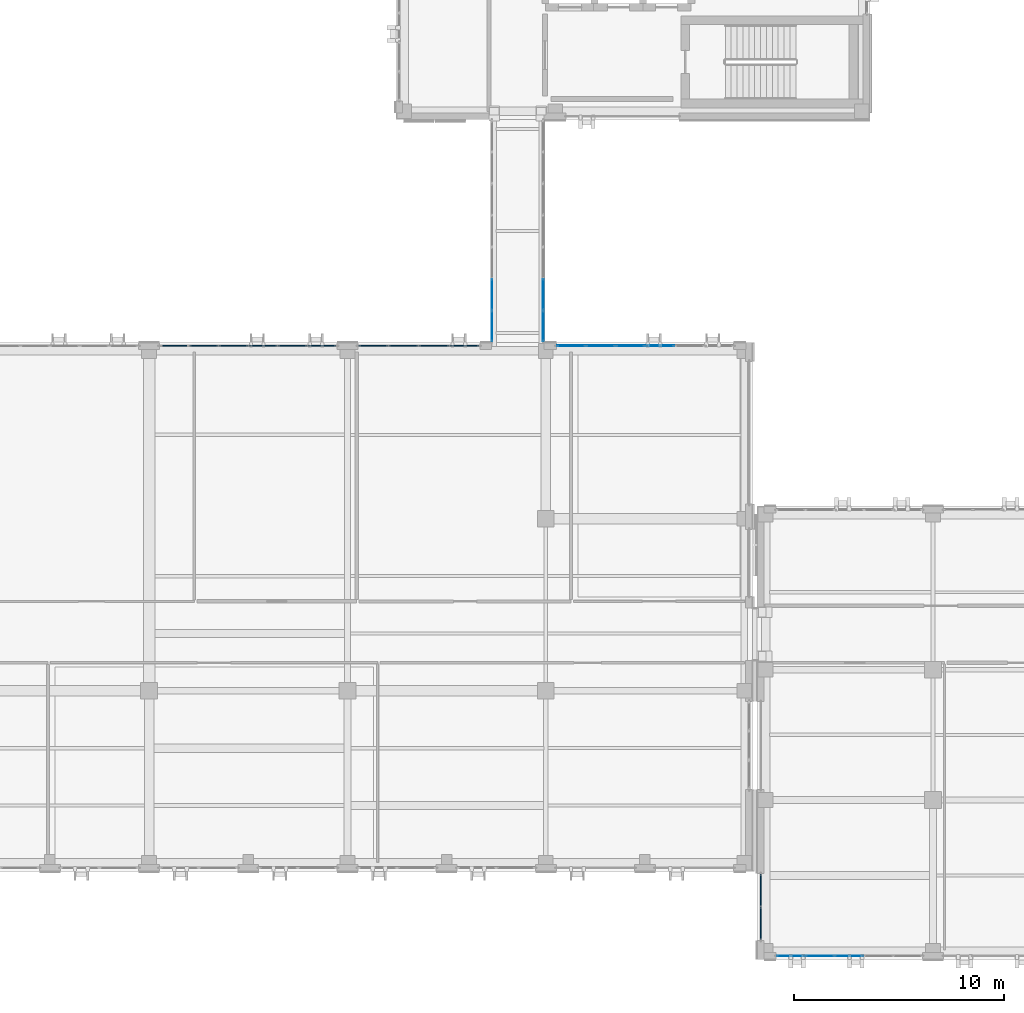
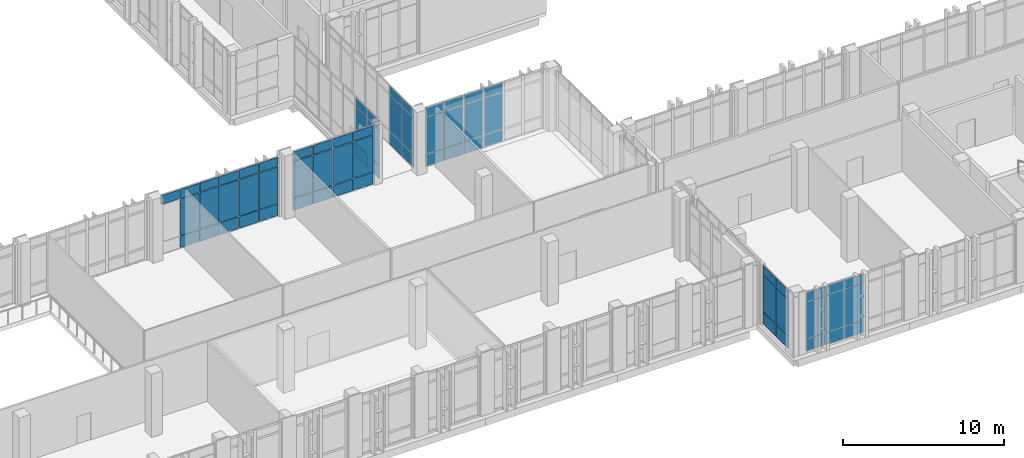
# One storey, part 135 of 189: 67 plates, 7 elements without a shape of their own.
"""IFC4 building model written with IfcOpenShell, lengths in metres."""

import ifcopenshell
import ifcopenshell.guid

model = None  # the IFC model being written
_history = None  # IfcOwnerHistory: only IFC2X3 demands one
_inside = {}  # id of a spatial element -> (the spatial element, [elements in it])
_under = {}  # id of a project, library or spatial element -> (it, [spatial elements below it])
_declared = {}  # id of a project -> (the project, [libraries it declares])
_typed = {}  # id of a type object -> (the type object, [elements of that type])
_made_of = {}  # id of a material, layer set ... -> (it, [elements and type objects made of it])


def new_model(schema):
    """Start an empty IFC model of exactly this schema.

    Asked for "IFC4X3", IfcOpenShell would pick the latest addendum, in which some entities
    have other attributes; the version numbers below select the first issue.
    IFC2X3 requires an IfcOwnerHistory on every rooted entity: one is made here for all.
    """
    global model, _history
    if schema == "IFC4X3":
        model = ifcopenshell.file(schema_version=(4, 3, 0, 0))
    else:
        model = ifcopenshell.file(schema=schema)
    _inside.clear()
    _under.clear()
    _declared.clear()
    _typed.clear()
    _made_of.clear()
    _history = None
    if model.schema == "IFC2X3":
        org = make("IfcOrganization", Name="unknown")
        user = make(
            "IfcPersonAndOrganization",
            ThePerson=make("IfcPerson", FamilyName="unknown"),
            TheOrganization=org,
        )
        app = make(
            "IfcApplication",
            ApplicationDeveloper=org,
            Version="unknown",
            ApplicationFullName="unknown",
            ApplicationIdentifier="unknown",
        )
        _history = make(
            "IfcOwnerHistory",
            OwningUser=user,
            OwningApplication=app,
            ChangeAction="ADDED",
            CreationDate=0,
        )
    return model


def make(cls, **values):
    """One entity of the class cls with the attributes given. An attribute that is None is left unset."""
    return model.create_entity(
        cls, **{name: value for name, value in values.items() if value is not None}
    )


def rooted(cls, **values):
    """An entity with a GlobalId (a new one), such as an element, a storey or a relation."""
    return make(cls, GlobalId=ifcopenshell.guid.new(), OwnerHistory=_history, **values)


def si_unit(unit_type, name, prefix=None):
    """IfcSIUnit, for example si_unit("LENGTHUNIT", "METRE", prefix="MILLI")."""
    return make("IfcSIUnit", UnitType=unit_type, Prefix=prefix, Name=name)


def assignment(units):
    """IfcUnitAssignment: the units of a project."""
    return None if units is None else make("IfcUnitAssignment", Units=units)


def point(xyz):
    """IfcCartesianPoint."""
    return None if xyz is None else make("IfcCartesianPoint", Coordinates=xyz)


def direction(xyz):
    """IfcDirection."""
    return None if xyz is None else make("IfcDirection", DirectionRatios=xyz)


def frame(location, z_axis=None, x_axis=None):
    """IfcAxis2Placement3D, a coordinate frame: its origin and axes. An axis left out is left unset."""
    return make(
        "IfcAxis2Placement3D",
        Location=point(location),
        Axis=direction(z_axis),
        RefDirection=direction(x_axis),
    )


def frame_2d(location, x_axis=None):
    """IfcAxis2Placement2D, a coordinate frame in the plane: its origin and x axis."""
    return make(
        "IfcAxis2Placement2D", Location=point(location), RefDirection=direction(x_axis)
    )


def origin():
    """The frame at (0, 0, 0) with its axes left unset."""
    return frame((0.0, 0.0, 0.0))


def origin_2d():
    """The frame at (0, 0) in the plane with its x axis left unset."""
    return frame_2d((0.0, 0.0))


def place(relative_to, where):
    """IfcLocalPlacement: puts the frame where relative to a parent placement (None: the world)."""
    return make(
        "IfcLocalPlacement", PlacementRelTo=relative_to, RelativePlacement=where
    )


def context(
    kind, dimensions, precision=None, world=None, true_north=None, identifier=None
):
    """IfcGeometricRepresentationContext, for example the 3D "Model" context."""
    return make(
        "IfcGeometricRepresentationContext",
        ContextIdentifier=identifier,
        ContextType=kind,
        CoordinateSpaceDimension=dimensions,
        Precision=precision,
        WorldCoordinateSystem=world,
        TrueNorth=true_north,
    )


def subcontext(parent, identifier, kind, view, scale=None):
    """IfcGeometricRepresentationSubContext, for example "Body" below "Model"."""
    return make(
        "IfcGeometricRepresentationSubContext",
        ContextIdentifier=identifier,
        ContextType=kind,
        ParentContext=parent,
        TargetScale=scale,
        TargetView=view,
    )


def project(units=None, contexts=None):
    """IfcProject with its units and contexts."""
    return rooted(
        "IfcProject",
        Name="project",
        RepresentationContexts=contexts,
        UnitsInContext=assignment(units),
    )


def spatial(cls, under=None, at=None, **own):
    """A site, building, storey or space (cls), placed at a placement, below another one or the project."""
    s = rooted(cls, ObjectPlacement=at, **own)
    if under is not None:
        _under.setdefault(under.id(), (under, []))[1].append(s)
    return s


def profile(cls, at=None, kind="AREA", **sizes):
    """A parametric profile (cls). Its sizes go by their IFC names, for example OverallWidth=200.0."""
    return make(cls, ProfileType=kind, Position=at, **sizes)


def rectangle(**sizes):
    """IfcRectangleProfileDef."""
    return profile("IfcRectangleProfileDef", **sizes)


def extrude(swept, where, along, depth):
    """IfcExtrudedAreaSolid: the profile swept, set in the frame where, extruded along a direction by depth."""
    return make(
        "IfcExtrudedAreaSolid",
        SweptArea=swept,
        Position=where,
        ExtrudedDirection=direction(along),
        Depth=depth,
    )


def shape(context_of_items, identifier, shape_type, items):
    """IfcShapeRepresentation: the items that make up one representation, for example the "Body"."""
    return make(
        "IfcShapeRepresentation",
        ContextOfItems=context_of_items,
        RepresentationIdentifier=identifier,
        RepresentationType=shape_type,
        Items=items,
    )


def material(Name=None, Category=None):
    """IfcMaterial."""
    return make("IfcMaterial", Name=Name, Category=Category)


def layer(
    of_material, thickness, ventilated=None, Name=None, Category=None, Priority=None
):
    """IfcMaterialLayer: one layer of a wall or slab, of a material (None: an air gap)."""
    return make(
        "IfcMaterialLayer",
        Material=of_material,
        LayerThickness=thickness,
        IsVentilated=ventilated,
        Name=Name,
        Category=Category,
        Priority=Priority,
    )


def layer_set(layers, Name=None):
    """IfcMaterialLayerSet."""
    return make("IfcMaterialLayerSet", MaterialLayers=layers, LayerSetName=Name)


def made_of(thing, what):
    """Note that an element or type object is made of a material, layer set ...; save() writes the relation."""
    if what is not None:
        _made_of.setdefault(what.id(), (what, []))[1].append(thing)
    return thing


def type_object(cls, material=None, **own):
    """A type object (cls), such as IfcWallType, which elements share."""
    return made_of(rooted(cls, **own), material)


def element(
    cls,
    number,
    at=None,
    inside=None,
    cuts=None,
    type_object=None,
    material=None,
    context=None,
    identifier="Body",
    shape_type=None,
    held_by="IfcProductDefinitionShape",
    body=None,
    shapes=None,
    **own,
):
    """One element of the class cls, such as IfcWall. Its Tag is "e" and its number.

    at: its placement. inside: the storey or other place that contains it. cuts: it is an
    opening in that element (IfcRelVoidsElement). A single representation is given by context,
    identifier, shape_type and body (its items); several are given by shapes. held_by: the class
    of the entity that holds the representations. save() writes the other relations.
    """
    e = rooted(cls, Tag="e%d" % number, ObjectPlacement=at, **own)
    if body is not None:
        shapes = [shape(context, identifier, shape_type, body)]
    if shapes is not None:
        e.Representation = make(held_by, Representations=shapes)
    if inside is not None:
        _inside.setdefault(inside.id(), (inside, []))[1].append(e)
    if cuts is not None:
        rooted(
            "IfcRelVoidsElement", RelatingBuildingElement=cuts, RelatedOpeningElement=e
        )
    if type_object is not None:
        _typed.setdefault(type_object.id(), (type_object, []))[1].append(e)
    return made_of(e, material)


def aggregate(whole, parts):
    """IfcRelAggregates: a whole, such as a stair, and the parts it consists of."""
    return rooted("IfcRelAggregates", RelatingObject=whole, RelatedObjects=parts)


def save(model, path):
    """Write the relations noted so far, then the file.

    IfcRelAggregates (storeys below a building ...), IfcRelContainedInSpatialStructure (elements
    in a storey), IfcRelDefinesByType, IfcRelAssociatesMaterial and IfcRelDeclares: one each for
    every whole, place, type object, material and project.
    """
    for whole, parts in _under.values():
        aggregate(whole, parts)
    for where, things in _inside.values():
        rooted(
            "IfcRelContainedInSpatialStructure",
            RelatedElements=things,
            RelatingStructure=where,
        )
    for kind, things in _typed.values():
        rooted("IfcRelDefinesByType", RelatedObjects=things, RelatingType=kind)
    for what, things in _made_of.values():
        rooted("IfcRelAssociatesMaterial", RelatedObjects=things, RelatingMaterial=what)
    for by, libraries in _declared.values():
        rooted("IfcRelDeclares", RelatingContext=by, RelatedDefinitions=libraries)
    model.write(path)


model = new_model("IFC4")

# Units and contexts
model_context = context("Model", 3, precision=1e-05, world=origin(), true_north=direction((0.0, 1.0)))
body_context = subcontext(model_context, "Body", "Model", "MODEL_VIEW")
ifc_project = project(units=[si_unit("LENGTHUNIT", "METRE"), si_unit("AREAUNIT", "SQUARE_METRE"), si_unit("VOLUMEUNIT", "CUBIC_METRE"), si_unit("PLANEANGLEUNIT", "RADIAN"), si_unit("MASSUNIT", "GRAM", prefix="KILO")], contexts=[model_context])

# Site, building, storey
site_placement = place(None, origin())
site = spatial("IfcSite", under=ifc_project, at=site_placement, CompositionType="ELEMENT")
building_placement = place(site_placement, origin())
building = spatial("IfcBuilding", under=site, at=building_placement, Name="Qalavern Law Courts", CompositionType="ELEMENT")
storey_placement = place(building_placement, frame((0.0, 0.0, 5.39990234375)))
storey = spatial("IfcBuildingStorey", under=building, at=storey_placement, Name="L01", CompositionType="ELEMENT", Elevation=5.39990234375)

# Curtain wall, plates
ifc_material_1 = material(Name="Anodised aluminium and insulated glazing", Category="aluminium")
ifc_layer_1 = layer(ifc_material_1, 0.14990234375)
ifc_layer_set_1 = layer_set([ifc_layer_1], Name="Anodised aluminium and insulated glazing")
curtain_wall_type_1 = type_object("IfcCurtainWallType", Name="ENV-CW-BRG", PredefinedType="USERDEFINED", material=ifc_layer_set_1)
curtain_wall_1_placement = place(storey_placement, origin())
curtain_wall_1 = element("IfcCurtainWall", 1, at=curtain_wall_1_placement, inside=storey, type_object=curtain_wall_type_1, Name="Bridge BR-V2-V4 glazed curtain wall L01-1", ObjectType="UNITISED CURTAIN WALL", PredefinedType="USERDEFINED")
ifc_material_2 = material(Name="Insulated low-E acoustic glazing", Category="glass")
ifc_layer_2 = layer(ifc_material_2, 0.031982421875)
ifc_layer_set_2 = layer_set([ifc_layer_2], Name="Insulated low-E acoustic glazing")
plate_type_1 = type_object("IfcPlateType", Name="ENV-CWP-32", PredefinedType="CURTAIN_PANEL", material=ifc_layer_set_2)
plate_1_placement = place(storey_placement, frame((88.77490234375, 32.687255859375, 0.048095703125), z_axis=(0.0, 0.0, 1.0), x_axis=(0.0, -1.0, 0.0)))
plate_1 = element("IfcPlate", 2, at=plate_1_placement, type_object=plate_type_1, Name="CW-06 panel 6.1", PredefinedType="CURTAIN_PANEL", context=body_context, shape_type="SweptSolid", body=[
    extrude(rectangle(XDim=1.46337890625, YDim=0.031982421875, at=origin_2d()), origin(), (0.0, 0.0, 1.0), 0.97802734375),
])
plate_2_placement = place(storey_placement, frame((88.77490234375, 32.687255859375, 1.07421875), z_axis=(0.0, 0.0, 1.0), x_axis=(0.0, -1.0, 0.0)))
plate_2 = element("IfcPlate", 3, at=plate_2_placement, type_object=plate_type_1, Name="CW-06 panel 6.2", PredefinedType="CURTAIN_PANEL", context=body_context, shape_type="SweptSolid", body=[
    extrude(rectangle(XDim=1.46337890625, YDim=0.031982421875, at=origin_2d()), origin(), (0.0, 0.0, 1.0), 2.7119140625),
])
plate_3_placement = place(storey_placement, frame((88.77490234375, 32.687255859375, 3.834228515625), z_axis=(0.0, 0.0, 1.0), x_axis=(0.0, -1.0, 0.0)))
plate_3 = element("IfcPlate", 4, at=plate_3_placement, type_object=plate_type_1, Name="CW-06 panel 6.3", PredefinedType="CURTAIN_PANEL", context=body_context, shape_type="SweptSolid", body=[
    extrude(rectangle(XDim=1.46337890625, YDim=0.031982421875, at=origin_2d()), origin(), (0.0, 0.0, 1.0), 0.6279296875),
])
plate_4_placement = place(storey_placement, frame((88.77490234375, 31.187744140625, 0.048095703125), z_axis=(0.0, 0.0, 1.0), x_axis=(0.0, -1.0, 0.0)))
plate_4 = element("IfcPlate", 5, at=plate_4_placement, type_object=plate_type_1, Name="CW-06 panel 7.1", PredefinedType="CURTAIN_PANEL", context=body_context, shape_type="SweptSolid", body=[
    extrude(rectangle(XDim=1.439453125, YDim=0.031982421875, at=origin_2d()), origin(), (0.0, 0.0, 1.0), 0.97802734375),
])
plate_5_placement = place(storey_placement, frame((88.77490234375, 31.187744140625, 1.07421875), z_axis=(0.0, 0.0, 1.0), x_axis=(0.0, -1.0, 0.0)))
plate_5 = element("IfcPlate", 6, at=plate_5_placement, type_object=plate_type_1, Name="CW-06 panel 7.2", PredefinedType="CURTAIN_PANEL", context=body_context, shape_type="SweptSolid", body=[
    extrude(rectangle(XDim=1.439453125, YDim=0.031982421875, at=origin_2d()), origin(), (0.0, 0.0, 1.0), 2.7119140625),
])
plate_6_placement = place(storey_placement, frame((88.77490234375, 31.187744140625, 3.834228515625), z_axis=(0.0, 0.0, 1.0), x_axis=(0.0, -1.0, 0.0)))
plate_6 = element("IfcPlate", 7, at=plate_6_placement, type_object=plate_type_1, Name="CW-06 panel 7.3", PredefinedType="CURTAIN_PANEL", context=body_context, shape_type="SweptSolid", body=[
    extrude(rectangle(XDim=1.439453125, YDim=0.031982421875, at=origin_2d()), origin(), (0.0, 0.0, 1.0), 0.6279296875),
])
aggregate(curtain_wall_1, [plate_1, plate_2, plate_3, plate_4, plate_5, plate_6])

curtain_wall_2_placement = place(storey_placement, origin())
curtain_wall_2 = element("IfcCurtainWall", 8, at=curtain_wall_2_placement, inside=storey, type_object=curtain_wall_type_1, Name="Bridge BR-V2-V4 glazed curtain wall L01-2", ObjectType="UNITISED CURTAIN WALL", PredefinedType="USERDEFINED")
plate_7_placement = place(storey_placement, frame((91.22509765625, 31.187744140625, 0.048095703125), z_axis=(0.0, 0.0, 1.0), x_axis=(0.0, 1.0, 0.0)))
plate_7 = element("IfcPlate", 9, at=plate_7_placement, type_object=plate_type_1, Name="CW-06 panel 1.1", PredefinedType="CURTAIN_PANEL", context=body_context, shape_type="SweptSolid", body=[
    extrude(rectangle(XDim=1.439453125, YDim=0.031982421875, at=origin_2d()), origin(), (0.0, 0.0, 1.0), 0.97802734375),
])
plate_8_placement = place(storey_placement, frame((91.22509765625, 31.187744140625, 1.07421875), z_axis=(0.0, 0.0, 1.0), x_axis=(0.0, 1.0, 0.0)))
plate_8 = element("IfcPlate", 10, at=plate_8_placement, type_object=plate_type_1, Name="CW-06 panel 1.2", PredefinedType="CURTAIN_PANEL", context=body_context, shape_type="SweptSolid", body=[
    extrude(rectangle(XDim=1.439453125, YDim=0.031982421875, at=origin_2d()), origin(), (0.0, 0.0, 1.0), 2.7119140625),
])
plate_9_placement = place(storey_placement, frame((91.22509765625, 31.187744140625, 3.834228515625), z_axis=(0.0, 0.0, 1.0), x_axis=(0.0, 1.0, 0.0)))
plate_9 = element("IfcPlate", 11, at=plate_9_placement, type_object=plate_type_1, Name="CW-06 panel 1.3", PredefinedType="CURTAIN_PANEL", context=body_context, shape_type="SweptSolid", body=[
    extrude(rectangle(XDim=1.439453125, YDim=0.031982421875, at=origin_2d()), origin(), (0.0, 0.0, 1.0), 0.6279296875),
])
plate_10_placement = place(storey_placement, frame((91.22509765625, 32.687255859375, 0.048095703125), z_axis=(0.0, 0.0, 1.0), x_axis=(0.0, 1.0, 0.0)))
plate_10 = element("IfcPlate", 12, at=plate_10_placement, type_object=plate_type_1, Name="CW-06 panel 2.1", PredefinedType="CURTAIN_PANEL", context=body_context, shape_type="SweptSolid", body=[
    extrude(rectangle(XDim=1.46337890625, YDim=0.031982421875, at=origin_2d()), origin(), (0.0, 0.0, 1.0), 0.97802734375),
])
plate_11_placement = place(storey_placement, frame((91.22509765625, 32.687255859375, 1.07421875), z_axis=(0.0, 0.0, 1.0), x_axis=(0.0, 1.0, 0.0)))
plate_11 = element("IfcPlate", 13, at=plate_11_placement, type_object=plate_type_1, Name="CW-06 panel 2.2", PredefinedType="CURTAIN_PANEL", context=body_context, shape_type="SweptSolid", body=[
    extrude(rectangle(XDim=1.46337890625, YDim=0.031982421875, at=origin_2d()), origin(), (0.0, 0.0, 1.0), 2.7119140625),
])
plate_12_placement = place(storey_placement, frame((91.22509765625, 32.687255859375, 3.834228515625), z_axis=(0.0, 0.0, 1.0), x_axis=(0.0, 1.0, 0.0)))
plate_12 = element("IfcPlate", 14, at=plate_12_placement, type_object=plate_type_1, Name="CW-06 panel 2.3", PredefinedType="CURTAIN_PANEL", context=body_context, shape_type="SweptSolid", body=[
    extrude(rectangle(XDim=1.46337890625, YDim=0.031982421875, at=origin_2d()), origin(), (0.0, 0.0, 1.0), 0.6279296875),
])
aggregate(curtain_wall_2, [plate_7, plate_8, plate_9, plate_10, plate_11, plate_12])

ifc_layer_3 = layer(ifc_material_1, 0.18505859375)
ifc_layer_set_3 = layer_set([ifc_layer_3], Name="Anodised aluminium and insulated glazing")
curtain_wall_type_2 = type_object("IfcCurtainWallType", Name="ENV-CW-HALL", PredefinedType="USERDEFINED", material=ifc_layer_set_3)
curtain_wall_3_placement = place(storey_placement, origin())
curtain_wall_3 = element("IfcCurtainWall", 15, at=curtain_wall_3_placement, inside=storey, type_object=curtain_wall_type_2, Name="V2 unitised curtain wall L01 north 1", ObjectType="UNITISED CURTAIN WALL", PredefinedType="USERDEFINED")
ifc_layer_4 = layer(ifc_material_2, 0.0439453125)
ifc_layer_set_4 = layer_set([ifc_layer_4], Name="Insulated low-E acoustic glazing")
plate_type_2 = type_object("IfcPlateType", Name="ENV-CWP-44", PredefinedType="CURTAIN_PANEL", material=ifc_layer_set_4)
plate_13_placement = place(storey_placement, frame((96.77734375, 30.237548828125, 0.048095703125), z_axis=(0.0, 0.0, 1.0), x_axis=(-1.0, 0.0, 0.0)))
plate_13 = element("IfcPlate", 16, at=plate_13_placement, type_object=plate_type_2, Name="CW-02 panel 3.1", PredefinedType="CURTAIN_PANEL", context=body_context, shape_type="SweptSolid", body=[
    extrude(rectangle(XDim=1.361083984375, YDim=0.0439453125, at=origin_2d()), origin(), (0.0, 0.0, 1.0), 0.8779296875),
])
plate_14_placement = place(storey_placement, frame((96.77734375, 30.237548828125, 0.97412109375), z_axis=(0.0, 0.0, 1.0), x_axis=(-1.0, 0.0, 0.0)))
plate_14 = element("IfcPlate", 17, at=plate_14_placement, type_object=plate_type_2, Name="CW-02 panel 3.2", PredefinedType="CURTAIN_PANEL", context=body_context, shape_type="SweptSolid", body=[
    extrude(rectangle(XDim=1.361083984375, YDim=0.0439453125, at=origin_2d()), origin(), (0.0, 0.0, 1.0), 2.761962890625),
])
plate_15_placement = place(storey_placement, frame((96.77734375, 30.237548828125, 3.7841796875), z_axis=(0.0, 0.0, 1.0), x_axis=(-1.0, 0.0, 0.0)))
plate_15 = element("IfcPlate", 18, at=plate_15_placement, type_object=plate_type_2, Name="CW-02 panel 3.3", PredefinedType="CURTAIN_PANEL", context=body_context, shape_type="SweptSolid", body=[
    extrude(rectangle(XDim=1.361083984375, YDim=0.0439453125, at=origin_2d()), origin(), (0.0, 0.0, 1.0), 0.677978515625),
])
plate_16_placement = place(storey_placement, frame((95.368408203125, 30.237548828125, 0.048095703125), z_axis=(0.0, 0.0, 1.0), x_axis=(-1.0, 0.0, 0.0)))
plate_16 = element("IfcPlate", 19, at=plate_16_placement, type_object=plate_type_2, Name="CW-02 panel 4.1", PredefinedType="CURTAIN_PANEL", context=body_context, shape_type="SweptSolid", body=[
    extrude(rectangle(XDim=1.361083984375, YDim=0.0439453125, at=origin_2d()), origin(), (0.0, 0.0, 1.0), 0.8779296875),
])
plate_17_placement = place(storey_placement, frame((95.368408203125, 30.237548828125, 0.97412109375), z_axis=(0.0, 0.0, 1.0), x_axis=(-1.0, 0.0, 0.0)))
plate_17 = element("IfcPlate", 20, at=plate_17_placement, type_object=plate_type_2, Name="CW-02 panel 4.2", PredefinedType="CURTAIN_PANEL", context=body_context, shape_type="SweptSolid", body=[
    extrude(rectangle(XDim=1.361083984375, YDim=0.0439453125, at=origin_2d()), origin(), (0.0, 0.0, 1.0), 2.761962890625),
])
plate_18_placement = place(storey_placement, frame((95.368408203125, 30.237548828125, 3.7841796875), z_axis=(0.0, 0.0, 1.0), x_axis=(-1.0, 0.0, 0.0)))
plate_18 = element("IfcPlate", 21, at=plate_18_placement, type_object=plate_type_2, Name="CW-02 panel 4.3", PredefinedType="CURTAIN_PANEL", context=body_context, shape_type="SweptSolid", body=[
    extrude(rectangle(XDim=1.361083984375, YDim=0.0439453125, at=origin_2d()), origin(), (0.0, 0.0, 1.0), 0.677978515625),
])
plate_19_placement = place(storey_placement, frame((93.959228515625, 30.237548828125, 0.048095703125), z_axis=(0.0, 0.0, 1.0), x_axis=(-1.0, 0.0, 0.0)))
plate_19 = element("IfcPlate", 22, at=plate_19_placement, type_object=plate_type_2, Name="CW-02 panel 5.1", PredefinedType="CURTAIN_PANEL", context=body_context, shape_type="SweptSolid", body=[
    extrude(rectangle(XDim=1.361083984375, YDim=0.0439453125, at=origin_2d()), origin(), (0.0, 0.0, 1.0), 0.8779296875),
])
plate_20_placement = place(storey_placement, frame((93.959228515625, 30.237548828125, 0.97412109375), z_axis=(0.0, 0.0, 1.0), x_axis=(-1.0, 0.0, 0.0)))
plate_20 = element("IfcPlate", 23, at=plate_20_placement, type_object=plate_type_2, Name="CW-02 panel 5.2", PredefinedType="CURTAIN_PANEL", context=body_context, shape_type="SweptSolid", body=[
    extrude(rectangle(XDim=1.361083984375, YDim=0.0439453125, at=origin_2d()), origin(), (0.0, 0.0, 1.0), 2.761962890625),
])
plate_21_placement = place(storey_placement, frame((93.959228515625, 30.237548828125, 3.7841796875), z_axis=(0.0, 0.0, 1.0), x_axis=(-1.0, 0.0, 0.0)))
plate_21 = element("IfcPlate", 24, at=plate_21_placement, type_object=plate_type_2, Name="CW-02 panel 5.3", PredefinedType="CURTAIN_PANEL", context=body_context, shape_type="SweptSolid", body=[
    extrude(rectangle(XDim=1.361083984375, YDim=0.0439453125, at=origin_2d()), origin(), (0.0, 0.0, 1.0), 0.677978515625),
])
plate_22_placement = place(storey_placement, frame((92.562255859375, 30.237548828125, 0.048095703125), z_axis=(0.0, 0.0, 1.0), x_axis=(-1.0, 0.0, 0.0)))
plate_22 = element("IfcPlate", 25, at=plate_22_placement, type_object=plate_type_2, Name="CW-02 panel 6.1", PredefinedType="CURTAIN_PANEL", context=body_context, shape_type="SweptSolid", body=[
    extrude(rectangle(XDim=1.337158203125, YDim=0.0439453125, at=origin_2d()), origin(), (0.0, 0.0, 1.0), 0.8779296875),
])
plate_23_placement = place(storey_placement, frame((92.562255859375, 30.237548828125, 0.97412109375), z_axis=(0.0, 0.0, 1.0), x_axis=(-1.0, 0.0, 0.0)))
plate_23 = element("IfcPlate", 26, at=plate_23_placement, type_object=plate_type_2, Name="CW-02 panel 6.2", PredefinedType="CURTAIN_PANEL", context=body_context, shape_type="SweptSolid", body=[
    extrude(rectangle(XDim=1.337158203125, YDim=0.0439453125, at=origin_2d()), origin(), (0.0, 0.0, 1.0), 2.761962890625),
])
plate_24_placement = place(storey_placement, frame((92.562255859375, 30.237548828125, 3.7841796875), z_axis=(0.0, 0.0, 1.0), x_axis=(-1.0, 0.0, 0.0)))
plate_24 = element("IfcPlate", 27, at=plate_24_placement, type_object=plate_type_2, Name="CW-02 panel 6.3", PredefinedType="CURTAIN_PANEL", context=body_context, shape_type="SweptSolid", body=[
    extrude(rectangle(XDim=1.337158203125, YDim=0.0439453125, at=origin_2d()), origin(), (0.0, 0.0, 1.0), 0.677978515625),
])
aggregate(curtain_wall_3, [plate_13, plate_14, plate_15, plate_16, plate_17, plate_18, plate_19, plate_20, plate_21, plate_22, plate_23, plate_24])

ifc_layer_5 = layer(ifc_material_1, 0.172119140625)
ifc_layer_set_5 = layer_set([ifc_layer_5], Name="Anodised aluminium and insulated glazing")
curtain_wall_type_3 = type_object("IfcCurtainWallType", Name="ENV-CW-COURT", PredefinedType="USERDEFINED", material=ifc_layer_set_5)
curtain_wall_4_placement = place(storey_placement, origin())
curtain_wall_4 = element("IfcCurtainWall", 28, at=curtain_wall_4_placement, inside=storey, type_object=curtain_wall_type_3, Name="V6 unitised curtain wall L01 south 1", ObjectType="UNITISED CURTAIN WALL", PredefinedType="USERDEFINED")
plate_25_placement = place(storey_placement, frame((103.030029296875, 1.16259765625, 0.048095703125), z_axis=(0.0, 0.0, 1.0), x_axis=(1.0, 0.0, 0.0)))
plate_25 = element("IfcPlate", 29, at=plate_25_placement, type_object=plate_type_2, Name="CW-03 panel 1.1", PredefinedType="CURTAIN_PANEL", context=body_context, shape_type="SweptSolid", body=[
    extrude(rectangle(XDim=1.323974609375, YDim=0.0439453125, at=origin_2d()), origin(), (0.0, 0.0, 1.0), 0.8779296875),
])
plate_26_placement = place(storey_placement, frame((103.030029296875, 1.16259765625, 0.97412109375), z_axis=(0.0, 0.0, 1.0), x_axis=(1.0, 0.0, 0.0)))
plate_26 = element("IfcPlate", 30, at=plate_26_placement, type_object=plate_type_2, Name="CW-03 panel 1.2", PredefinedType="CURTAIN_PANEL", context=body_context, shape_type="SweptSolid", body=[
    extrude(rectangle(XDim=1.323974609375, YDim=0.0439453125, at=origin_2d()), origin(), (0.0, 0.0, 1.0), 2.761962890625),
])
plate_27_placement = place(storey_placement, frame((103.030029296875, 1.16259765625, 3.7841796875), z_axis=(0.0, 0.0, 1.0), x_axis=(1.0, 0.0, 0.0)))
plate_27 = element("IfcPlate", 31, at=plate_27_placement, type_object=plate_type_2, Name="CW-03 panel 1.3", PredefinedType="CURTAIN_PANEL", context=body_context, shape_type="SweptSolid", body=[
    extrude(rectangle(XDim=1.323974609375, YDim=0.0439453125, at=origin_2d()), origin(), (0.0, 0.0, 1.0), 0.677978515625),
])
plate_28_placement = place(storey_placement, frame((104.4140625, 1.16259765625, 0.048095703125), z_axis=(0.0, 0.0, 1.0), x_axis=(1.0, 0.0, 0.0)))
plate_28 = element("IfcPlate", 32, at=plate_28_placement, type_object=plate_type_2, Name="CW-03 panel 2.1", PredefinedType="CURTAIN_PANEL", context=body_context, shape_type="SweptSolid", body=[
    extrude(rectangle(XDim=1.347900390625, YDim=0.0439453125, at=origin_2d()), origin(), (0.0, 0.0, 1.0), 0.8779296875),
])
plate_29_placement = place(storey_placement, frame((104.4140625, 1.16259765625, 0.97412109375), z_axis=(0.0, 0.0, 1.0), x_axis=(1.0, 0.0, 0.0)))
plate_29 = element("IfcPlate", 33, at=plate_29_placement, type_object=plate_type_2, Name="CW-03 panel 2.2", PredefinedType="CURTAIN_PANEL", context=body_context, shape_type="SweptSolid", body=[
    extrude(rectangle(XDim=1.347900390625, YDim=0.0439453125, at=origin_2d()), origin(), (0.0, 0.0, 1.0), 2.761962890625),
])
plate_30_placement = place(storey_placement, frame((104.4140625, 1.16259765625, 3.7841796875), z_axis=(0.0, 0.0, 1.0), x_axis=(1.0, 0.0, 0.0)))
plate_30 = element("IfcPlate", 34, at=plate_30_placement, type_object=plate_type_2, Name="CW-03 panel 2.3", PredefinedType="CURTAIN_PANEL", context=body_context, shape_type="SweptSolid", body=[
    extrude(rectangle(XDim=1.347900390625, YDim=0.0439453125, at=origin_2d()), origin(), (0.0, 0.0, 1.0), 0.677978515625),
])
plate_31_placement = place(storey_placement, frame((105.81005859375, 1.16259765625, 0.048095703125), z_axis=(0.0, 0.0, 1.0), x_axis=(1.0, 0.0, 0.0)))
plate_31 = element("IfcPlate", 35, at=plate_31_placement, type_object=plate_type_2, Name="CW-03 panel 3.1", PredefinedType="CURTAIN_PANEL", context=body_context, shape_type="SweptSolid", body=[
    extrude(rectangle(XDim=1.347900390625, YDim=0.0439453125, at=origin_2d()), origin(), (0.0, 0.0, 1.0), 0.8779296875),
])
plate_32_placement = place(storey_placement, frame((105.81005859375, 1.16259765625, 0.97412109375), z_axis=(0.0, 0.0, 1.0), x_axis=(1.0, 0.0, 0.0)))
plate_32 = element("IfcPlate", 36, at=plate_32_placement, type_object=plate_type_2, Name="CW-03 panel 3.2", PredefinedType="CURTAIN_PANEL", context=body_context, shape_type="SweptSolid", body=[
    extrude(rectangle(XDim=1.347900390625, YDim=0.0439453125, at=origin_2d()), origin(), (0.0, 0.0, 1.0), 2.761962890625),
])
plate_33_placement = place(storey_placement, frame((105.81005859375, 1.16259765625, 3.7841796875), z_axis=(0.0, 0.0, 1.0), x_axis=(1.0, 0.0, 0.0)))
plate_33 = element("IfcPlate", 37, at=plate_33_placement, type_object=plate_type_2, Name="CW-03 panel 3.3", PredefinedType="CURTAIN_PANEL", context=body_context, shape_type="SweptSolid", body=[
    extrude(rectangle(XDim=1.347900390625, YDim=0.0439453125, at=origin_2d()), origin(), (0.0, 0.0, 1.0), 0.677978515625),
])
aggregate(curtain_wall_4, [plate_25, plate_26, plate_27, plate_28, plate_29, plate_30, plate_31, plate_32, plate_33])

curtain_wall_5_placement = place(storey_placement, origin())
curtain_wall_5 = element("IfcCurtainWall", 38, at=curtain_wall_5_placement, inside=storey, type_object=curtain_wall_type_2, Name="V2 unitised curtain wall L01 north 1", ObjectType="UNITISED CURTAIN WALL", PredefinedType="USERDEFINED")
ifc_layer_6 = layer(ifc_material_2, 0.048095703125)
ifc_layer_set_6 = layer_set([ifc_layer_6], Name="Insulated low-E acoustic glazing")
plate_type_3 = type_object("IfcPlateType", Name="ENV-CWP-48", PredefinedType="CURTAIN_PANEL", material=ifc_layer_set_6)
plate_34_placement = place(storey_placement, frame((87.4619140625, 30.237548828125, 0.048095703125), z_axis=(0.0, 0.0, 1.0), x_axis=(-1.0, 0.0, 0.0)))
plate_34 = element("IfcPlate", 39, at=plate_34_placement, type_object=plate_type_3, Name="CW-02 panel 1.1", PredefinedType="CURTAIN_PANEL", context=body_context, shape_type="SweptSolid", body=[
    extrude(rectangle(XDim=1.380126953125, YDim=0.048095703125, at=origin_2d()), origin(), (0.0, 0.0, 1.0), 0.8779296875),
])
plate_35_placement = place(storey_placement, frame((87.4619140625, 30.237548828125, 0.97412109375), z_axis=(0.0, 0.0, 1.0), x_axis=(-1.0, 0.0, 0.0)))
plate_35 = element("IfcPlate", 40, at=plate_35_placement, type_object=plate_type_3, Name="CW-02 panel 1.2", PredefinedType="CURTAIN_PANEL", context=body_context, shape_type="SweptSolid", body=[
    extrude(rectangle(XDim=1.380126953125, YDim=0.048095703125, at=origin_2d()), origin(), (0.0, 0.0, 1.0), 2.761962890625),
])
plate_36_placement = place(storey_placement, frame((87.4619140625, 30.237548828125, 3.7841796875), z_axis=(0.0, 0.0, 1.0), x_axis=(-1.0, 0.0, 0.0)))
plate_36 = element("IfcPlate", 41, at=plate_36_placement, type_object=plate_type_3, Name="CW-02 panel 1.3", PredefinedType="CURTAIN_PANEL", context=body_context, shape_type="SweptSolid", body=[
    extrude(rectangle(XDim=1.380126953125, YDim=0.048095703125, at=origin_2d()), origin(), (0.0, 0.0, 1.0), 0.677978515625),
])
plate_37_placement = place(storey_placement, frame((86.021728515625, 30.237548828125, 0.048095703125), z_axis=(0.0, 0.0, 1.0), x_axis=(-1.0, 0.0, 0.0)))
plate_37 = element("IfcPlate", 42, at=plate_37_placement, type_object=plate_type_3, Name="CW-02 panel 2.1", PredefinedType="CURTAIN_PANEL", context=body_context, shape_type="SweptSolid", body=[
    extrude(rectangle(XDim=1.404052734375, YDim=0.048095703125, at=origin_2d()), origin(), (0.0, 0.0, 1.0), 0.8779296875),
])
plate_38_placement = place(storey_placement, frame((86.021728515625, 30.237548828125, 0.97412109375), z_axis=(0.0, 0.0, 1.0), x_axis=(-1.0, 0.0, 0.0)))
plate_38 = element("IfcPlate", 43, at=plate_38_placement, type_object=plate_type_3, Name="CW-02 panel 2.2", PredefinedType="CURTAIN_PANEL", context=body_context, shape_type="SweptSolid", body=[
    extrude(rectangle(XDim=1.404052734375, YDim=0.048095703125, at=origin_2d()), origin(), (0.0, 0.0, 1.0), 2.761962890625),
])
plate_39_placement = place(storey_placement, frame((86.021728515625, 30.237548828125, 3.7841796875), z_axis=(0.0, 0.0, 1.0), x_axis=(-1.0, 0.0, 0.0)))
plate_39 = element("IfcPlate", 44, at=plate_39_placement, type_object=plate_type_3, Name="CW-02 panel 2.3", PredefinedType="CURTAIN_PANEL", context=body_context, shape_type="SweptSolid", body=[
    extrude(rectangle(XDim=1.404052734375, YDim=0.048095703125, at=origin_2d()), origin(), (0.0, 0.0, 1.0), 0.677978515625),
])
plate_40_placement = place(storey_placement, frame((84.569580078125, 30.237548828125, 0.048095703125), z_axis=(0.0, 0.0, 1.0), x_axis=(-1.0, 0.0, 0.0)))
plate_40 = element("IfcPlate", 45, at=plate_40_placement, type_object=plate_type_3, Name="CW-02 panel 3.1", PredefinedType="CURTAIN_PANEL", context=body_context, shape_type="SweptSolid", body=[
    extrude(rectangle(XDim=1.404052734375, YDim=0.048095703125, at=origin_2d()), origin(), (0.0, 0.0, 1.0), 0.8779296875),
])
plate_41_placement = place(storey_placement, frame((84.569580078125, 30.237548828125, 0.97412109375), z_axis=(0.0, 0.0, 1.0), x_axis=(-1.0, 0.0, 0.0)))
plate_41 = element("IfcPlate", 46, at=plate_41_placement, type_object=plate_type_3, Name="CW-02 panel 3.2", PredefinedType="CURTAIN_PANEL", context=body_context, shape_type="SweptSolid", body=[
    extrude(rectangle(XDim=1.404052734375, YDim=0.048095703125, at=origin_2d()), origin(), (0.0, 0.0, 1.0), 2.761962890625),
])
plate_42_placement = place(storey_placement, frame((84.569580078125, 30.237548828125, 3.7841796875), z_axis=(0.0, 0.0, 1.0), x_axis=(-1.0, 0.0, 0.0)))
plate_42 = element("IfcPlate", 47, at=plate_42_placement, type_object=plate_type_3, Name="CW-02 panel 3.3", PredefinedType="CURTAIN_PANEL", context=body_context, shape_type="SweptSolid", body=[
    extrude(rectangle(XDim=1.404052734375, YDim=0.048095703125, at=origin_2d()), origin(), (0.0, 0.0, 1.0), 0.677978515625),
])
plate_43_placement = place(storey_placement, frame((83.12939453125, 30.237548828125, 0.048095703125), z_axis=(0.0, 0.0, 1.0), x_axis=(-1.0, 0.0, 0.0)))
plate_43 = element("IfcPlate", 48, at=plate_43_placement, type_object=plate_type_3, Name="CW-02 panel 4.1", PredefinedType="CURTAIN_PANEL", context=body_context, shape_type="SweptSolid", body=[
    extrude(rectangle(XDim=1.380126953125, YDim=0.048095703125, at=origin_2d()), origin(), (0.0, 0.0, 1.0), 0.8779296875),
])
plate_44_placement = place(storey_placement, frame((83.12939453125, 30.237548828125, 0.97412109375), z_axis=(0.0, 0.0, 1.0), x_axis=(-1.0, 0.0, 0.0)))
plate_44 = element("IfcPlate", 49, at=plate_44_placement, type_object=plate_type_3, Name="CW-02 panel 4.2", PredefinedType="CURTAIN_PANEL", context=body_context, shape_type="SweptSolid", body=[
    extrude(rectangle(XDim=1.380126953125, YDim=0.048095703125, at=origin_2d()), origin(), (0.0, 0.0, 1.0), 2.761962890625),
])
plate_45_placement = place(storey_placement, frame((83.12939453125, 30.237548828125, 3.7841796875), z_axis=(0.0, 0.0, 1.0), x_axis=(-1.0, 0.0, 0.0)))
plate_45 = element("IfcPlate", 50, at=plate_45_placement, type_object=plate_type_3, Name="CW-02 panel 4.3", PredefinedType="CURTAIN_PANEL", context=body_context, shape_type="SweptSolid", body=[
    extrude(rectangle(XDim=1.380126953125, YDim=0.048095703125, at=origin_2d()), origin(), (0.0, 0.0, 1.0), 0.677978515625),
])
aggregate(curtain_wall_5, [plate_34, plate_35, plate_36, plate_37, plate_38, plate_39, plate_40, plate_41, plate_42, plate_43, plate_44, plate_45])

curtain_wall_6_placement = place(storey_placement, origin())
curtain_wall_6 = element("IfcCurtainWall", 51, at=curtain_wall_6_placement, inside=storey, type_object=curtain_wall_type_2, Name="V2 unitised curtain wall L01 north 2", ObjectType="UNITISED CURTAIN WALL", PredefinedType="USERDEFINED")
ifc_layer_7 = layer(ifc_material_2, 0.052001953125)
ifc_layer_set_7 = layer_set([ifc_layer_7], Name="Insulated low-E acoustic glazing")
plate_type_4 = type_object("IfcPlateType", Name="ENV-CWP-52", PredefinedType="CURTAIN_PANEL", material=ifc_layer_set_7)
plate_46_placement = place(storey_placement, frame((80.6748046875, 30.237548828125, 0.048095703125), z_axis=(0.0, 0.0, 1.0), x_axis=(-1.0, 0.0, 0.0)))
plate_46 = element("IfcPlate", 52, at=plate_46_placement, type_object=plate_type_4, Name="CW-02 panel 1.1", PredefinedType="CURTAIN_PANEL", context=body_context, shape_type="SweptSolid", body=[
    extrude(rectangle(XDim=1.337158203125, YDim=0.052001953125, at=origin_2d()), origin(), (0.0, 0.0, 1.0), 0.8779296875),
])
plate_47_placement = place(storey_placement, frame((80.6748046875, 30.237548828125, 0.97412109375), z_axis=(0.0, 0.0, 1.0), x_axis=(-1.0, 0.0, 0.0)))
plate_47 = element("IfcPlate", 53, at=plate_47_placement, type_object=plate_type_4, Name="CW-02 panel 1.2", PredefinedType="CURTAIN_PANEL", context=body_context, shape_type="SweptSolid", body=[
    extrude(rectangle(XDim=1.337158203125, YDim=0.052001953125, at=origin_2d()), origin(), (0.0, 0.0, 1.0), 2.761962890625),
])
plate_48_placement = place(storey_placement, frame((80.6748046875, 30.237548828125, 3.7841796875), z_axis=(0.0, 0.0, 1.0), x_axis=(-1.0, 0.0, 0.0)))
plate_48 = element("IfcPlate", 54, at=plate_48_placement, type_object=plate_type_4, Name="CW-02 panel 1.3", PredefinedType="CURTAIN_PANEL", context=body_context, shape_type="SweptSolid", body=[
    extrude(rectangle(XDim=1.337158203125, YDim=0.052001953125, at=origin_2d()), origin(), (0.0, 0.0, 1.0), 0.677978515625),
])
plate_49_placement = place(storey_placement, frame((79.27783203125, 30.237548828125, 0.048095703125), z_axis=(0.0, 0.0, 1.0), x_axis=(-1.0, 0.0, 0.0)))
plate_49 = element("IfcPlate", 55, at=plate_49_placement, type_object=plate_type_4, Name="CW-02 panel 2.1", PredefinedType="CURTAIN_PANEL", context=body_context, shape_type="SweptSolid", body=[
    extrude(rectangle(XDim=1.361083984375, YDim=0.052001953125, at=origin_2d()), origin(), (0.0, 0.0, 1.0), 0.8779296875),
])
plate_50_placement = place(storey_placement, frame((79.27783203125, 30.237548828125, 0.97412109375), z_axis=(0.0, 0.0, 1.0), x_axis=(-1.0, 0.0, 0.0)))
plate_50 = element("IfcPlate", 56, at=plate_50_placement, type_object=plate_type_4, Name="CW-02 panel 2.2", PredefinedType="CURTAIN_PANEL", context=body_context, shape_type="SweptSolid", body=[
    extrude(rectangle(XDim=1.361083984375, YDim=0.052001953125, at=origin_2d()), origin(), (0.0, 0.0, 1.0), 2.761962890625),
])
plate_51_placement = place(storey_placement, frame((79.27783203125, 30.237548828125, 3.7841796875), z_axis=(0.0, 0.0, 1.0), x_axis=(-1.0, 0.0, 0.0)))
plate_51 = element("IfcPlate", 57, at=plate_51_placement, type_object=plate_type_4, Name="CW-02 panel 2.3", PredefinedType="CURTAIN_PANEL", context=body_context, shape_type="SweptSolid", body=[
    extrude(rectangle(XDim=1.361083984375, YDim=0.052001953125, at=origin_2d()), origin(), (0.0, 0.0, 1.0), 0.677978515625),
])
plate_52_placement = place(storey_placement, frame((77.868896484375, 30.237548828125, 0.048095703125), z_axis=(0.0, 0.0, 1.0), x_axis=(-1.0, 0.0, 0.0)))
plate_52 = element("IfcPlate", 58, at=plate_52_placement, type_object=plate_type_4, Name="CW-02 panel 3.1", PredefinedType="CURTAIN_PANEL", context=body_context, shape_type="SweptSolid", body=[
    extrude(rectangle(XDim=1.361083984375, YDim=0.052001953125, at=origin_2d()), origin(), (0.0, 0.0, 1.0), 0.8779296875),
])
plate_53_placement = place(storey_placement, frame((77.868896484375, 30.237548828125, 0.97412109375), z_axis=(0.0, 0.0, 1.0), x_axis=(-1.0, 0.0, 0.0)))
plate_53 = element("IfcPlate", 59, at=plate_53_placement, type_object=plate_type_4, Name="CW-02 panel 3.2", PredefinedType="CURTAIN_PANEL", context=body_context, shape_type="SweptSolid", body=[
    extrude(rectangle(XDim=1.361083984375, YDim=0.052001953125, at=origin_2d()), origin(), (0.0, 0.0, 1.0), 2.761962890625),
])
plate_54_placement = place(storey_placement, frame((77.868896484375, 30.237548828125, 3.7841796875), z_axis=(0.0, 0.0, 1.0), x_axis=(-1.0, 0.0, 0.0)))
plate_54 = element("IfcPlate", 60, at=plate_54_placement, type_object=plate_type_4, Name="CW-02 panel 3.3", PredefinedType="CURTAIN_PANEL", context=body_context, shape_type="SweptSolid", body=[
    extrude(rectangle(XDim=1.361083984375, YDim=0.052001953125, at=origin_2d()), origin(), (0.0, 0.0, 1.0), 0.677978515625),
])
plate_55_placement = place(storey_placement, frame((76.459716796875, 30.237548828125, 0.048095703125), z_axis=(0.0, 0.0, 1.0), x_axis=(-1.0, 0.0, 0.0)))
plate_55 = element("IfcPlate", 61, at=plate_55_placement, type_object=plate_type_4, Name="CW-02 panel 4.1", PredefinedType="CURTAIN_PANEL", context=body_context, shape_type="SweptSolid", body=[
    extrude(rectangle(XDim=1.361083984375, YDim=0.052001953125, at=origin_2d()), origin(), (0.0, 0.0, 1.0), 0.8779296875),
])
plate_56_placement = place(storey_placement, frame((76.459716796875, 30.237548828125, 0.97412109375), z_axis=(0.0, 0.0, 1.0), x_axis=(-1.0, 0.0, 0.0)))
plate_56 = element("IfcPlate", 62, at=plate_56_placement, type_object=plate_type_4, Name="CW-02 panel 4.2", PredefinedType="CURTAIN_PANEL", context=body_context, shape_type="SweptSolid", body=[
    extrude(rectangle(XDim=1.361083984375, YDim=0.052001953125, at=origin_2d()), origin(), (0.0, 0.0, 1.0), 2.761962890625),
])
plate_57_placement = place(storey_placement, frame((76.459716796875, 30.237548828125, 3.7841796875), z_axis=(0.0, 0.0, 1.0), x_axis=(-1.0, 0.0, 0.0)))
plate_57 = element("IfcPlate", 63, at=plate_57_placement, type_object=plate_type_4, Name="CW-02 panel 4.3", PredefinedType="CURTAIN_PANEL", context=body_context, shape_type="SweptSolid", body=[
    extrude(rectangle(XDim=1.361083984375, YDim=0.052001953125, at=origin_2d()), origin(), (0.0, 0.0, 1.0), 0.677978515625),
])
plate_58_placement = place(storey_placement, frame((75.05078125, 30.237548828125, 0.048095703125), z_axis=(0.0, 0.0, 1.0), x_axis=(-1.0, 0.0, 0.0)))
plate_58 = element("IfcPlate", 64, at=plate_58_placement, type_object=plate_type_4, Name="CW-02 panel 5.1", PredefinedType="CURTAIN_PANEL", context=body_context, shape_type="SweptSolid", body=[
    extrude(rectangle(XDim=1.361083984375, YDim=0.052001953125, at=origin_2d()), origin(), (0.0, 0.0, 1.0), 0.8779296875),
])
plate_59_placement = place(storey_placement, frame((75.05078125, 30.237548828125, 0.97412109375), z_axis=(0.0, 0.0, 1.0), x_axis=(-1.0, 0.0, 0.0)))
plate_59 = element("IfcPlate", 65, at=plate_59_placement, type_object=plate_type_4, Name="CW-02 panel 5.2", PredefinedType="CURTAIN_PANEL", context=body_context, shape_type="SweptSolid", body=[
    extrude(rectangle(XDim=1.361083984375, YDim=0.052001953125, at=origin_2d()), origin(), (0.0, 0.0, 1.0), 2.761962890625),
])
plate_60_placement = place(storey_placement, frame((75.05078125, 30.237548828125, 3.7841796875), z_axis=(0.0, 0.0, 1.0), x_axis=(-1.0, 0.0, 0.0)))
plate_60 = element("IfcPlate", 66, at=plate_60_placement, type_object=plate_type_4, Name="CW-02 panel 5.3", PredefinedType="CURTAIN_PANEL", context=body_context, shape_type="SweptSolid", body=[
    extrude(rectangle(XDim=1.361083984375, YDim=0.052001953125, at=origin_2d()), origin(), (0.0, 0.0, 1.0), 0.677978515625),
])
plate_61_placement = place(storey_placement, frame((73.653564453125, 30.237548828125, 3.7841796875), z_axis=(0.0, 0.0, 1.0), x_axis=(-1.0, 0.0, 0.0)))
plate_61 = element("IfcPlate", 67, at=plate_61_placement, type_object=plate_type_4, Name="CW-02 panel 6.3", PredefinedType="CURTAIN_PANEL", context=body_context, shape_type="SweptSolid", body=[
    extrude(rectangle(XDim=1.337158203125, YDim=0.052001953125, at=origin_2d()), origin(), (0.0, 0.0, 1.0), 0.677978515625),
])
aggregate(curtain_wall_6, [plate_46, plate_47, plate_48, plate_49, plate_50, plate_51, plate_52, plate_53, plate_54, plate_55, plate_56, plate_57, plate_58, plate_59, plate_60, plate_61])

curtain_wall_7_placement = place(storey_placement, origin())
curtain_wall_7 = element("IfcCurtainWall", 68, at=curtain_wall_7_placement, inside=storey, type_object=curtain_wall_type_3, Name="V6 unitised curtain wall L01 west 2", ObjectType="UNITISED CURTAIN WALL", PredefinedType="USERDEFINED")
plate_62_placement = place(storey_placement, frame((101.58251953125, 4.2880859375, 0.048095703125), z_axis=(0.0, 0.0, 1.0), x_axis=(0.0, -1.0, 0.0)))
plate_62 = element("IfcPlate", 69, at=plate_62_placement, type_object=plate_type_4, Name="CW-03 panel 1.1", PredefinedType="CURTAIN_PANEL", context=body_context, shape_type="SweptSolid", body=[
    extrude(rectangle(XDim=1.528076171875, YDim=0.052001953125, at=origin_2d()), origin(), (0.0, 0.0, 1.0), 0.8779296875),
])
plate_63_placement = place(storey_placement, frame((101.58251953125, 4.2880859375, 0.97412109375), z_axis=(0.0, 0.0, 1.0), x_axis=(0.0, -1.0, 0.0)))
plate_63 = element("IfcPlate", 70, at=plate_63_placement, type_object=plate_type_4, Name="CW-03 panel 1.2", PredefinedType="CURTAIN_PANEL", context=body_context, shape_type="SweptSolid", body=[
    extrude(rectangle(XDim=1.528076171875, YDim=0.052001953125, at=origin_2d()), origin(), (0.0, 0.0, 1.0), 2.761962890625),
])
plate_64_placement = place(storey_placement, frame((101.58251953125, 4.2880859375, 3.7841796875), z_axis=(0.0, 0.0, 1.0), x_axis=(0.0, -1.0, 0.0)))
plate_64 = element("IfcPlate", 71, at=plate_64_placement, type_object=plate_type_4, Name="CW-03 panel 1.3", PredefinedType="CURTAIN_PANEL", context=body_context, shape_type="SweptSolid", body=[
    extrude(rectangle(XDim=1.528076171875, YDim=0.052001953125, at=origin_2d()), origin(), (0.0, 0.0, 1.0), 0.677978515625),
])
plate_65_placement = place(storey_placement, frame((101.58251953125, 2.7119140625, 0.048095703125), z_axis=(0.0, 0.0, 1.0), x_axis=(0.0, -1.0, 0.0)))
plate_65 = element("IfcPlate", 72, at=plate_65_placement, type_object=plate_type_4, Name="CW-03 panel 2.1", PredefinedType="CURTAIN_PANEL", context=body_context, shape_type="SweptSolid", body=[
    extrude(rectangle(XDim=1.528076171875, YDim=0.052001953125, at=origin_2d()), origin(), (0.0, 0.0, 1.0), 0.8779296875),
])
plate_66_placement = place(storey_placement, frame((101.58251953125, 2.7119140625, 0.97412109375), z_axis=(0.0, 0.0, 1.0), x_axis=(0.0, -1.0, 0.0)))
plate_66 = element("IfcPlate", 73, at=plate_66_placement, type_object=plate_type_4, Name="CW-03 panel 2.2", PredefinedType="CURTAIN_PANEL", context=body_context, shape_type="SweptSolid", body=[
    extrude(rectangle(XDim=1.528076171875, YDim=0.052001953125, at=origin_2d()), origin(), (0.0, 0.0, 1.0), 2.761962890625),
])
plate_67_placement = place(storey_placement, frame((101.58251953125, 2.7119140625, 3.7841796875), z_axis=(0.0, 0.0, 1.0), x_axis=(0.0, -1.0, 0.0)))
plate_67 = element("IfcPlate", 74, at=plate_67_placement, type_object=plate_type_4, Name="CW-03 panel 2.3", PredefinedType="CURTAIN_PANEL", context=body_context, shape_type="SweptSolid", body=[
    extrude(rectangle(XDim=1.528076171875, YDim=0.052001953125, at=origin_2d()), origin(), (0.0, 0.0, 1.0), 0.677978515625),
])
aggregate(curtain_wall_7, [plate_62, plate_63, plate_64, plate_65, plate_66, plate_67])

save(model, "model.ifc")
